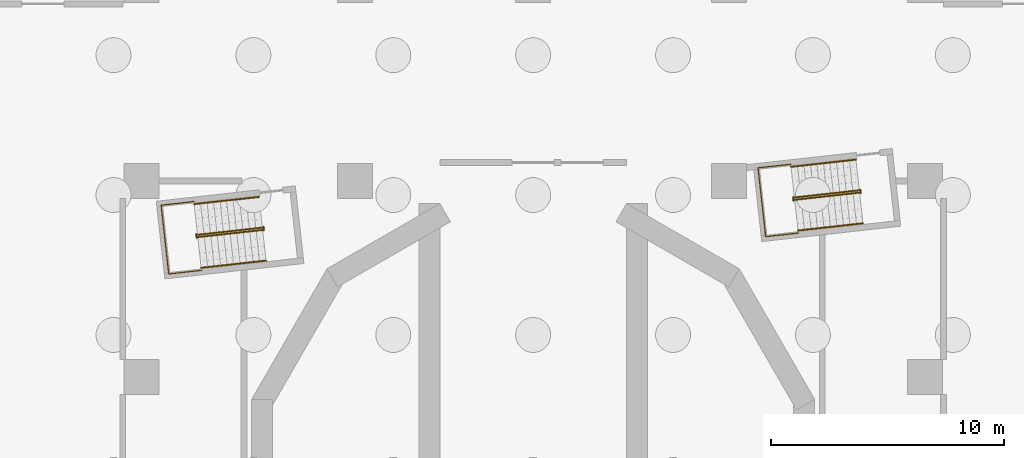
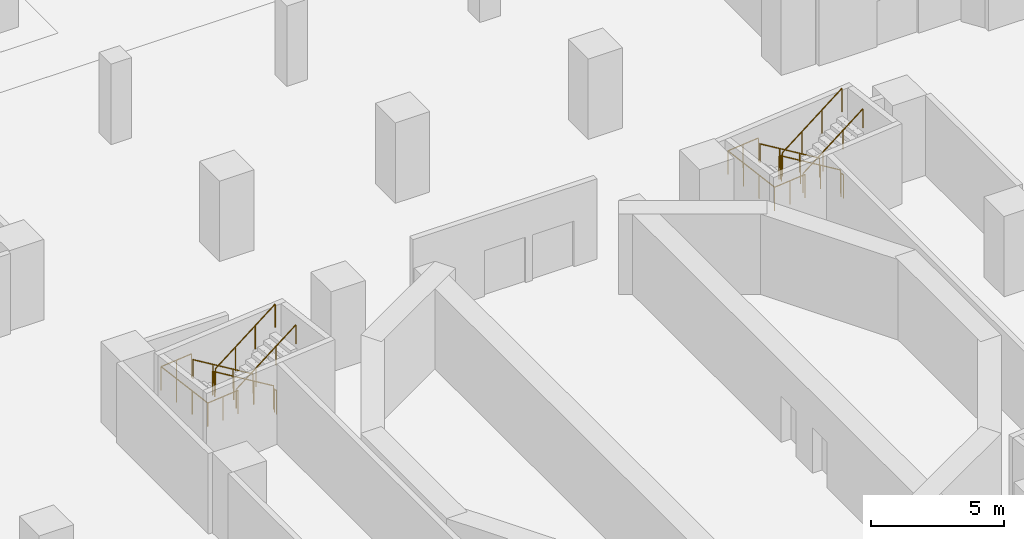
# One storey, part 17 of 20: 12 railings.
"""IFC4 building model written with IfcOpenShell, lengths in metres."""

import ifcopenshell
import ifcopenshell.guid

model = None  # the IFC model being written
_history = None  # IfcOwnerHistory: only IFC2X3 demands one
_inside = {}  # id of a spatial element -> (the spatial element, [elements in it])
_under = {}  # id of a project, library or spatial element -> (it, [spatial elements below it])
_declared = {}  # id of a project -> (the project, [libraries it declares])
_typed = {}  # id of a type object -> (the type object, [elements of that type])
_made_of = {}  # id of a material, layer set ... -> (it, [elements and type objects made of it])


def new_model(schema):
    """Start an empty IFC model of exactly this schema.

    Asked for "IFC4X3", IfcOpenShell would pick the latest addendum, in which some entities
    have other attributes; the version numbers below select the first issue.
    IFC2X3 requires an IfcOwnerHistory on every rooted entity: one is made here for all.
    """
    global model, _history
    if schema == "IFC4X3":
        model = ifcopenshell.file(schema_version=(4, 3, 0, 0))
    else:
        model = ifcopenshell.file(schema=schema)
    _inside.clear()
    _under.clear()
    _declared.clear()
    _typed.clear()
    _made_of.clear()
    _history = None
    if model.schema == "IFC2X3":
        org = make("IfcOrganization", Name="unknown")
        user = make(
            "IfcPersonAndOrganization",
            ThePerson=make("IfcPerson", FamilyName="unknown"),
            TheOrganization=org,
        )
        app = make(
            "IfcApplication",
            ApplicationDeveloper=org,
            Version="unknown",
            ApplicationFullName="unknown",
            ApplicationIdentifier="unknown",
        )
        _history = make(
            "IfcOwnerHistory",
            OwningUser=user,
            OwningApplication=app,
            ChangeAction="ADDED",
            CreationDate=0,
        )
    return model


def make(cls, **values):
    """One entity of the class cls with the attributes given. An attribute that is None is left unset."""
    return model.create_entity(
        cls, **{name: value for name, value in values.items() if value is not None}
    )


def rooted(cls, **values):
    """An entity with a GlobalId (a new one), such as an element, a storey or a relation."""
    return make(cls, GlobalId=ifcopenshell.guid.new(), OwnerHistory=_history, **values)


def si_unit(unit_type, name, prefix=None):
    """IfcSIUnit, for example si_unit("LENGTHUNIT", "METRE", prefix="MILLI")."""
    return make("IfcSIUnit", UnitType=unit_type, Prefix=prefix, Name=name)


def assignment(units):
    """IfcUnitAssignment: the units of a project."""
    return None if units is None else make("IfcUnitAssignment", Units=units)


def point(xyz):
    """IfcCartesianPoint."""
    return None if xyz is None else make("IfcCartesianPoint", Coordinates=xyz)


def direction(xyz):
    """IfcDirection."""
    return None if xyz is None else make("IfcDirection", DirectionRatios=xyz)


def frame(location, z_axis=None, x_axis=None):
    """IfcAxis2Placement3D, a coordinate frame: its origin and axes. An axis left out is left unset."""
    return make(
        "IfcAxis2Placement3D",
        Location=point(location),
        Axis=direction(z_axis),
        RefDirection=direction(x_axis),
    )


def frame_2d(location, x_axis=None):
    """IfcAxis2Placement2D, a coordinate frame in the plane: its origin and x axis."""
    return make(
        "IfcAxis2Placement2D", Location=point(location), RefDirection=direction(x_axis)
    )


def origin():
    """The frame at (0, 0, 0) with its axes left unset."""
    return frame((0.0, 0.0, 0.0))


def origin_2d():
    """The frame at (0, 0) in the plane with its x axis left unset."""
    return frame_2d((0.0, 0.0))


def place(relative_to, where):
    """IfcLocalPlacement: puts the frame where relative to a parent placement (None: the world)."""
    return make(
        "IfcLocalPlacement", PlacementRelTo=relative_to, RelativePlacement=where
    )


def context(
    kind, dimensions, precision=None, world=None, true_north=None, identifier=None
):
    """IfcGeometricRepresentationContext, for example the 3D "Model" context."""
    return make(
        "IfcGeometricRepresentationContext",
        ContextIdentifier=identifier,
        ContextType=kind,
        CoordinateSpaceDimension=dimensions,
        Precision=precision,
        WorldCoordinateSystem=world,
        TrueNorth=true_north,
    )


def subcontext(parent, identifier, kind, view, scale=None):
    """IfcGeometricRepresentationSubContext, for example "Body" below "Model"."""
    return make(
        "IfcGeometricRepresentationSubContext",
        ContextIdentifier=identifier,
        ContextType=kind,
        ParentContext=parent,
        TargetScale=scale,
        TargetView=view,
    )


def project(units=None, contexts=None):
    """IfcProject with its units and contexts."""
    return rooted(
        "IfcProject",
        Name="project",
        RepresentationContexts=contexts,
        UnitsInContext=assignment(units),
    )


def spatial(cls, under=None, at=None, **own):
    """A site, building, storey or space (cls), placed at a placement, below another one or the project."""
    s = rooted(cls, ObjectPlacement=at, **own)
    if under is not None:
        _under.setdefault(under.id(), (under, []))[1].append(s)
    return s


def profile(cls, at=None, kind="AREA", **sizes):
    """A parametric profile (cls). Its sizes go by their IFC names, for example OverallWidth=200.0."""
    return make(cls, ProfileType=kind, Position=at, **sizes)


def circle(**sizes):
    """IfcCircleProfileDef."""
    return profile("IfcCircleProfileDef", **sizes)


def extrude(swept, where, along, depth):
    """IfcExtrudedAreaSolid: the profile swept, set in the frame where, extruded along a direction by depth."""
    return make(
        "IfcExtrudedAreaSolid",
        SweptArea=swept,
        Position=where,
        ExtrudedDirection=direction(along),
        Depth=depth,
    )


def shape(context_of_items, identifier, shape_type, items):
    """IfcShapeRepresentation: the items that make up one representation, for example the "Body"."""
    return make(
        "IfcShapeRepresentation",
        ContextOfItems=context_of_items,
        RepresentationIdentifier=identifier,
        RepresentationType=shape_type,
        Items=items,
    )


def material(Name=None, Category=None):
    """IfcMaterial."""
    return make("IfcMaterial", Name=Name, Category=Category)


def made_of(thing, what):
    """Note that an element or type object is made of a material, layer set ...; save() writes the relation."""
    if what is not None:
        _made_of.setdefault(what.id(), (what, []))[1].append(thing)
    return thing


def type_object(cls, material=None, **own):
    """A type object (cls), such as IfcWallType, which elements share."""
    return made_of(rooted(cls, **own), material)


def element(
    cls,
    number,
    at=None,
    inside=None,
    cuts=None,
    type_object=None,
    material=None,
    context=None,
    identifier="Body",
    shape_type=None,
    held_by="IfcProductDefinitionShape",
    body=None,
    shapes=None,
    **own,
):
    """One element of the class cls, such as IfcWall. Its Tag is "e" and its number.

    at: its placement. inside: the storey or other place that contains it. cuts: it is an
    opening in that element (IfcRelVoidsElement). A single representation is given by context,
    identifier, shape_type and body (its items); several are given by shapes. held_by: the class
    of the entity that holds the representations. save() writes the other relations.
    """
    e = rooted(cls, Tag="e%d" % number, ObjectPlacement=at, **own)
    if body is not None:
        shapes = [shape(context, identifier, shape_type, body)]
    if shapes is not None:
        e.Representation = make(held_by, Representations=shapes)
    if inside is not None:
        _inside.setdefault(inside.id(), (inside, []))[1].append(e)
    if cuts is not None:
        rooted(
            "IfcRelVoidsElement", RelatingBuildingElement=cuts, RelatedOpeningElement=e
        )
    if type_object is not None:
        _typed.setdefault(type_object.id(), (type_object, []))[1].append(e)
    return made_of(e, material)


def aggregate(whole, parts):
    """IfcRelAggregates: a whole, such as a stair, and the parts it consists of."""
    return rooted("IfcRelAggregates", RelatingObject=whole, RelatedObjects=parts)


def save(model, path):
    """Write the relations noted so far, then the file.

    IfcRelAggregates (storeys below a building ...), IfcRelContainedInSpatialStructure (elements
    in a storey), IfcRelDefinesByType, IfcRelAssociatesMaterial and IfcRelDeclares: one each for
    every whole, place, type object, material and project.
    """
    for whole, parts in _under.values():
        aggregate(whole, parts)
    for where, things in _inside.values():
        rooted(
            "IfcRelContainedInSpatialStructure",
            RelatedElements=things,
            RelatingStructure=where,
        )
    for kind, things in _typed.values():
        rooted("IfcRelDefinesByType", RelatedObjects=things, RelatingType=kind)
    for what, things in _made_of.values():
        rooted("IfcRelAssociatesMaterial", RelatedObjects=things, RelatingMaterial=what)
    for by, libraries in _declared.values():
        rooted("IfcRelDeclares", RelatingContext=by, RelatedDefinitions=libraries)
    model.write(path)


model = new_model("IFC4")

# Units and contexts
model_context = context("Model", 3, precision=1e-05, world=origin(), true_north=direction((0.0, 1.0)))
body_context = subcontext(model_context, "Body", "Model", "MODEL_VIEW")
ifc_project = project(units=[si_unit("LENGTHUNIT", "METRE"), si_unit("AREAUNIT", "SQUARE_METRE"), si_unit("VOLUMEUNIT", "CUBIC_METRE"), si_unit("PLANEANGLEUNIT", "RADIAN"), si_unit("MASSUNIT", "GRAM", prefix="KILO")], contexts=[model_context])

# Site, building, storey
site_placement = place(None, origin())
site = spatial("IfcSite", under=ifc_project, at=site_placement, CompositionType="ELEMENT")
building_placement = place(site_placement, origin())
building = spatial("IfcBuilding", under=site, at=building_placement, Name="Cantera Rosa Tower", CompositionType="ELEMENT")
storey_placement = place(building_placement, frame((0.0, 0.0, -17.0)))
storey = spatial("IfcBuildingStorey", under=building, at=storey_placement, Name="B4", CompositionType="ELEMENT", Elevation=-17.0)

# Railings
ifc_material_1 = material(Name="Steel S355J2 (EN 10025-2)", Category="steel")
railing_type_1 = type_object("IfcRailingType", Name="STAIR GUARD 1100", PredefinedType="GUARDRAIL", material=ifc_material_1)
railing_1_placement = place(storey_placement, frame((13.986083984375, 12.203125, 0.181884765625)))
element("IfcRailing", 1, at=railing_1_placement, inside=storey, type_object=railing_type_1, Name="B4 ST-11 stair guard 1", PredefinedType="GUARDRAIL", context=body_context, shape_type="SweptSolid", body=[
    extrude(circle(Radius=0.02392578125, at=origin_2d()), frame((0.0, 0.0, 1.076171875), z_axis=(-0.833588056777, -0.09250714026, 0.544585512661), x_axis=(0.110297547524, -0.993898612038, 0.0)), (0.0, 0.0, 1.0), 3.338623046875),
    extrude(circle(Radius=0.02392578125, at=origin_2d()), frame((-2.782958984375, -0.308837890625, 2.89404296875), z_axis=(-0.932897555956, 0.360141847183, 0.0), x_axis=(-0.360141847183, -0.932897555956, 0.0)), (0.0, 0.0, 1.0), 0.05615234375),
    extrude(circle(Radius=0.02392578125, at=origin_2d()), frame((-2.83544921875, -0.28857421875, 2.89404296875), z_axis=(0.110789159685, -0.993843932464, 0.0), x_axis=(0.993843932464, 0.110789159685, 0.0)), (0.0, 0.0, 1.0), 0.14990234375),
    extrude(circle(Radius=0.02099609375, at=origin_2d()), origin(), (0.0, 0.0, 1.0), 1.052001953125),
    extrude(circle(Radius=0.02099609375, at=origin_2d()), frame((-0.927734375, -0.10302734375, 0.60595703125)), (0.0, 0.0, 1.0), 1.052001953125),
    extrude(circle(Radius=0.02099609375, at=origin_2d()), frame((-1.855224609375, -0.205810546875, 1.212158203125)), (0.0, 0.0, 1.0), 1.052001953125),
    extrude(circle(Radius=0.02099609375, at=origin_2d()), frame((-2.782958984375, -0.308837890625, 1.818115234375)), (0.0, 0.0, 1.0), 1.052001953125),
    extrude(circle(Radius=0.02099609375, at=origin_2d()), frame((-2.83544921875, -0.28857421875, 1.818115234375)), (0.0, 0.0, 1.0), 1.052001953125),
    extrude(circle(Radius=0.02099609375, at=origin_2d()), frame((-2.81884765625, -0.4375, 1.818115234375)), (0.0, 0.0, 1.0), 1.052001953125),
])
railing_2_placement = place(storey_placement, frame((11.2138671875, 11.796875, 2.181884765625)))
element("IfcRailing", 2, at=railing_2_placement, inside=storey, type_object=railing_type_1, Name="B4 ST-11 stair guard 2", PredefinedType="GUARDRAIL", context=body_context, shape_type="SweptSolid", body=[
    extrude(circle(Radius=0.02392578125, at=origin_2d()), frame((0.0, 0.0, 1.076171875), z_axis=(0.833588056777, 0.09250714026, 0.544585512661), x_axis=(-0.110297547524, 0.993898612038, 0.0)), (0.0, 0.0, 1.0), 3.338623046875),
    extrude(circle(Radius=0.02099609375, at=origin_2d()), origin(), (0.0, 0.0, 1.0), 1.052001953125),
    extrude(circle(Radius=0.02099609375, at=origin_2d()), frame((0.927734375, 0.10302734375, 0.60595703125)), (0.0, 0.0, 1.0), 1.052001953125),
    extrude(circle(Radius=0.02099609375, at=origin_2d()), frame((1.855224609375, 0.205810546875, 1.212158203125)), (0.0, 0.0, 1.0), 1.052001953125),
    extrude(circle(Radius=0.02099609375, at=origin_2d()), frame((2.782958984375, 0.308837890625, 1.818115234375)), (0.0, 0.0, 1.0), 1.052001953125),
])
railing_3_placement = place(storey_placement, frame((14.032958984375, 12.234375, 0.0)))
element("IfcRailing", 3, at=railing_3_placement, inside=storey, type_object=railing_type_1, Name="B4 ST-11 stair guard 3", PredefinedType="GUARDRAIL", context=body_context, shape_type="SweptSolid", body=[
    extrude(circle(Radius=0.02392578125, at=origin_2d()), frame((0.0, 0.0, 1.076171875), z_axis=(0.109179471459, -0.994022053584, 0.0), x_axis=(0.994022053584, 0.109179471459, 0.0)), (0.0, 0.0, 1.0), 0.14990234375),
    extrude(circle(Radius=0.02099609375, at=origin_2d()), origin(), (0.0, 0.0, 1.0), 1.052001953125),
    extrude(circle(Radius=0.02099609375, at=origin_2d()), frame((0.016357421875, -0.14892578125, 0.0)), (0.0, 0.0, 1.0), 1.052001953125),
])
railing_4_placement = place(storey_placement, frame((11.056640625, 13.32275390625, 2.0)))
element("IfcRailing", 4, at=railing_4_placement, inside=storey, type_object=railing_type_1, Name="B4 ST-11 stair guard 4", PredefinedType="GUARDRAIL", context=body_context, shape_type="SweptSolid", body=[
    extrude(circle(Radius=0.02392578125, at=origin_2d()), frame((0.0, 0.0, 1.076171875), z_axis=(-0.993906744489, -0.110224240795, 0.0), x_axis=(0.110224240795, -0.993906744489, 0.0)), (0.0, 0.0, 1.0), 1.421875),
    extrude(circle(Radius=0.02392578125, at=origin_2d()), frame((-1.413330078125, -0.15673828125, 1.076171875), z_axis=(0.110314237986, -0.993896759678, 0.0), x_axis=(0.993896759678, 0.110314237986, 0.0)), (0.0, 0.0, 1.0), 2.969970703125),
    extrude(circle(Radius=0.02392578125, at=origin_2d()), frame((-1.085693359375, -3.108642578125, 1.076171875), z_axis=(0.993906744489, 0.110224240795, 0.0), x_axis=(-0.110224240795, 0.993906744489, 0.0)), (0.0, 0.0, 1.0), 1.421875),
    extrude(circle(Radius=0.02099609375, at=origin_2d()), origin(), (0.0, 0.0, 1.0), 1.052001953125),
    extrude(circle(Radius=0.02099609375, at=origin_2d()), frame((-0.70654296875, -0.078369140625, 0.0)), (0.0, 0.0, 1.0), 1.052001953125),
    extrude(circle(Radius=0.02099609375, at=origin_2d()), frame((-1.413330078125, -0.15673828125, 0.0)), (0.0, 0.0, 1.0), 1.052001953125),
    extrude(circle(Radius=0.02099609375, at=origin_2d()), frame((-1.30419921875, -1.140625, 0.0)), (0.0, 0.0, 1.0), 1.052001953125),
    extrude(circle(Radius=0.02099609375, at=origin_2d()), frame((-1.19482421875, -2.124755859375, 0.0)), (0.0, 0.0, 1.0), 1.052001953125),
    extrude(circle(Radius=0.02099609375, at=origin_2d()), frame((-1.085693359375, -3.108642578125, 0.0)), (0.0, 0.0, 1.0), 1.052001953125),
    extrude(circle(Radius=0.02099609375, at=origin_2d()), frame((-0.37890625, -3.0302734375, 0.0)), (0.0, 0.0, 1.0), 1.052001953125),
    extrude(circle(Radius=0.02099609375, at=origin_2d()), frame((0.32763671875, -2.951904296875, 0.0)), (0.0, 0.0, 1.0), 1.052001953125),
])
railing_5_placement = place(storey_placement, frame((-11.614013671875, 10.60302734375, 0.181884765625)))
element("IfcRailing", 5, at=railing_5_placement, inside=storey, type_object=railing_type_1, Name="B4 ST-12 stair guard 1", PredefinedType="GUARDRAIL", context=body_context, shape_type="SweptSolid", body=[
    extrude(circle(Radius=0.02392578125, at=origin_2d()), frame((0.0, 0.0, 1.076171875), z_axis=(-0.833588056777, -0.09250714026, 0.544585512661), x_axis=(0.110297547524, -0.993898612038, 0.0)), (0.0, 0.0, 1.0), 3.338623046875),
    extrude(circle(Radius=0.02392578125, at=origin_2d()), frame((-2.782958984375, -0.308837890625, 2.89404296875), z_axis=(-0.931434406233, 0.363909256389, 0.0), x_axis=(-0.363909256389, -0.931434406233, 0.0)), (0.0, 0.0, 1.0), 0.056396484375),
    extrude(circle(Radius=0.02392578125, at=origin_2d()), frame((-2.83544921875, -0.288330078125, 2.89404296875), z_axis=(0.110610055588, -0.993863881828, 0.0), x_axis=(0.993863881828, 0.110610055588, 0.0)), (0.0, 0.0, 1.0), 0.150146484375),
    extrude(circle(Radius=0.02099609375, at=origin_2d()), origin(), (0.0, 0.0, 1.0), 1.052001953125),
    extrude(circle(Radius=0.02099609375, at=origin_2d()), frame((-0.927734375, -0.10302734375, 0.60595703125)), (0.0, 0.0, 1.0), 1.052001953125),
    extrude(circle(Radius=0.02099609375, at=origin_2d()), frame((-1.855224609375, -0.205810546875, 1.212158203125)), (0.0, 0.0, 1.0), 1.052001953125),
    extrude(circle(Radius=0.02099609375, at=origin_2d()), frame((-2.782958984375, -0.308837890625, 1.818115234375)), (0.0, 0.0, 1.0), 1.052001953125),
    extrude(circle(Radius=0.02099609375, at=origin_2d()), frame((-2.83544921875, -0.288330078125, 1.818115234375)), (0.0, 0.0, 1.0), 1.052001953125),
    extrude(circle(Radius=0.02099609375, at=origin_2d()), frame((-2.81884765625, -0.4375, 1.818115234375)), (0.0, 0.0, 1.0), 1.052001953125),
])
railing_6_placement = place(storey_placement, frame((-14.385986328125, 10.19677734375, 2.181884765625)))
element("IfcRailing", 6, at=railing_6_placement, inside=storey, type_object=railing_type_1, Name="B4 ST-12 stair guard 2", PredefinedType="GUARDRAIL", context=body_context, shape_type="SweptSolid", body=[
    extrude(circle(Radius=0.02392578125, at=origin_2d()), frame((0.0, 0.0, 1.076171875), z_axis=(0.833588056777, 0.09250714026, 0.544585512661), x_axis=(-0.110297547524, 0.993898612038, 0.0)), (0.0, 0.0, 1.0), 3.338623046875),
    extrude(circle(Radius=0.02099609375, at=origin_2d()), origin(), (0.0, 0.0, 1.0), 1.052001953125),
    extrude(circle(Radius=0.02099609375, at=origin_2d()), frame((0.927734375, 0.10302734375, 0.60595703125)), (0.0, 0.0, 1.0), 1.052001953125),
    extrude(circle(Radius=0.02099609375, at=origin_2d()), frame((1.855224609375, 0.205810546875, 1.212158203125)), (0.0, 0.0, 1.0), 1.052001953125),
    extrude(circle(Radius=0.02099609375, at=origin_2d()), frame((2.782958984375, 0.308837890625, 1.818115234375)), (0.0, 0.0, 1.0), 1.052001953125),
])
railing_7_placement = place(storey_placement, frame((-11.567138671875, 10.634521484375, 0.0)))
element("IfcRailing", 7, at=railing_7_placement, inside=storey, type_object=railing_type_1, Name="B4 ST-12 stair guard 3", PredefinedType="GUARDRAIL", context=body_context, shape_type="SweptSolid", body=[
    extrude(circle(Radius=0.02392578125, at=origin_2d()), frame((0.0, 0.0, 1.076171875), z_axis=(0.110610055588, -0.993863881828, 0.0), x_axis=(0.993863881828, 0.110610055588, 0.0)), (0.0, 0.0, 1.0), 0.150146484375),
    extrude(circle(Radius=0.02099609375, at=origin_2d()), origin(), (0.0, 0.0, 1.0), 1.052001953125),
    extrude(circle(Radius=0.02099609375, at=origin_2d()), frame((0.0166015625, -0.149169921875, 0.0)), (0.0, 0.0, 1.0), 1.052001953125),
])
railing_8_placement = place(storey_placement, frame((-14.54345703125, 11.722900390625, 2.0)))
element("IfcRailing", 8, at=railing_8_placement, inside=storey, type_object=railing_type_1, Name="B4 ST-12 stair guard 4", PredefinedType="GUARDRAIL", context=body_context, shape_type="SweptSolid", body=[
    extrude(circle(Radius=0.02392578125, at=origin_2d()), frame((0.0, 0.0, 1.076171875), z_axis=(-0.993885828579, -0.110412679298, 0.0), x_axis=(0.110412679298, -0.993885828579, 0.0)), (0.0, 0.0, 1.0), 1.421875),
    extrude(circle(Radius=0.02392578125, at=origin_2d()), frame((-1.4130859375, -0.156982421875, 1.076171875), z_axis=(0.11023303584, -0.99390576908, 0.0), x_axis=(0.99390576908, 0.11023303584, 0.0)), (0.0, 0.0, 1.0), 2.969970703125),
    extrude(circle(Radius=0.02392578125, at=origin_2d()), frame((-1.085693359375, -3.10888671875, 1.076171875), z_axis=(0.993887921413, 0.110393838913, 0.0), x_axis=(-0.110393838913, 0.993887921413, 0.0)), (0.0, 0.0, 1.0), 1.422119140625),
    extrude(circle(Radius=0.02099609375, at=origin_2d()), origin(), (0.0, 0.0, 1.0), 1.052001953125),
    extrude(circle(Radius=0.02099609375, at=origin_2d()), frame((-0.70654296875, -0.07861328125, 0.0)), (0.0, 0.0, 1.0), 1.052001953125),
    extrude(circle(Radius=0.02099609375, at=origin_2d()), frame((-1.4130859375, -0.156982421875, 0.0)), (0.0, 0.0, 1.0), 1.052001953125),
    extrude(circle(Radius=0.02099609375, at=origin_2d()), frame((-1.303955078125, -1.140869140625, 0.0)), (0.0, 0.0, 1.0), 1.052001953125),
    extrude(circle(Radius=0.02099609375, at=origin_2d()), frame((-1.19482421875, -2.125, 0.0)), (0.0, 0.0, 1.0), 1.052001953125),
    extrude(circle(Radius=0.02099609375, at=origin_2d()), frame((-1.085693359375, -3.10888671875, 0.0)), (0.0, 0.0, 1.0), 1.052001953125),
    extrude(circle(Radius=0.02099609375, at=origin_2d()), frame((-0.37890625, -3.0302734375, 0.0)), (0.0, 0.0, 1.0), 1.052001953125),
    extrude(circle(Radius=0.02099609375, at=origin_2d()), frame((0.32763671875, -2.951904296875, 0.0)), (0.0, 0.0, 1.0), 1.052001953125),
])
ifc_material_2 = material(Name="Steel S355J2 (EN 10025-2)", Category="steel")
railing_type_2 = type_object("IfcRailingType", Name="STAIR HANDRAIL 900", PredefinedType="HANDRAIL", material=ifc_material_2)
railing_9_placement = place(storey_placement, frame((13.83984375, 13.52099609375, 0.181884765625)))
element("IfcRailing", 9, at=railing_9_placement, inside=storey, type_object=railing_type_2, Name="B4 ST-11 stair handrail 1", PredefinedType="HANDRAIL", context=body_context, shape_type="SweptSolid", body=[
    extrude(circle(Radius=0.02392578125, at=origin_2d()), frame((0.0, 0.0, 0.8759765625), z_axis=(-0.833588056777, -0.09250714026, 0.544585512661), x_axis=(0.110297547524, -0.993898612038, 0.0)), (0.0, 0.0, 1.0), 3.338623046875),
    extrude(circle(Radius=0.02099609375, at=origin_2d()), origin(), (0.0, 0.0, 1.0), 0.851806640625),
    extrude(circle(Radius=0.02099609375, at=origin_2d()), frame((-0.927734375, -0.10302734375, 0.60595703125)), (0.0, 0.0, 1.0), 0.851806640625),
    extrude(circle(Radius=0.02099609375, at=origin_2d()), frame((-1.855224609375, -0.205810546875, 1.212158203125)), (0.0, 0.0, 1.0), 0.851806640625),
    extrude(circle(Radius=0.02099609375, at=origin_2d()), frame((-2.782958984375, -0.308837890625, 1.818115234375)), (0.0, 0.0, 1.0), 0.851806640625),
])
railing_10_placement = place(storey_placement, frame((11.360107421875, 10.47900390625, 2.181884765625)))
element("IfcRailing", 10, at=railing_10_placement, inside=storey, type_object=railing_type_2, Name="B4 ST-11 stair handrail 2", PredefinedType="HANDRAIL", context=body_context, shape_type="SweptSolid", body=[
    extrude(circle(Radius=0.02392578125, at=origin_2d()), frame((0.0, 0.0, 0.8759765625), z_axis=(0.833588056777, 0.09250714026, 0.544585512661), x_axis=(-0.110297547524, 0.993898612038, 0.0)), (0.0, 0.0, 1.0), 3.338623046875),
    extrude(circle(Radius=0.02099609375, at=origin_2d()), origin(), (0.0, 0.0, 1.0), 0.851806640625),
    extrude(circle(Radius=0.02099609375, at=origin_2d()), frame((0.927734375, 0.10302734375, 0.60595703125)), (0.0, 0.0, 1.0), 0.851806640625),
    extrude(circle(Radius=0.02099609375, at=origin_2d()), frame((1.855224609375, 0.205810546875, 1.212158203125)), (0.0, 0.0, 1.0), 0.851806640625),
    extrude(circle(Radius=0.02099609375, at=origin_2d()), frame((2.782958984375, 0.308837890625, 1.818115234375)), (0.0, 0.0, 1.0), 0.851806640625),
])
railing_11_placement = place(storey_placement, frame((-11.76025390625, 11.921142578125, 0.181884765625)))
element("IfcRailing", 11, at=railing_11_placement, inside=storey, type_object=railing_type_2, Name="B4 ST-12 stair handrail 1", PredefinedType="HANDRAIL", context=body_context, shape_type="SweptSolid", body=[
    extrude(circle(Radius=0.02392578125, at=origin_2d()), frame((0.0, 0.0, 0.8759765625), z_axis=(-0.833582415484, -0.092579641899, 0.544581827187), x_axis=(0.110383677283, -0.99388905004, 0.0)), (0.0, 0.0, 1.0), 3.338623046875),
    extrude(circle(Radius=0.02099609375, at=origin_2d()), origin(), (0.0, 0.0, 1.0), 0.851806640625),
    extrude(circle(Radius=0.02099609375, at=origin_2d()), frame((-0.927734375, -0.10302734375, 0.60595703125)), (0.0, 0.0, 1.0), 0.851806640625),
    extrude(circle(Radius=0.02099609375, at=origin_2d()), frame((-1.855224609375, -0.2060546875, 1.212158203125)), (0.0, 0.0, 1.0), 0.851806640625),
    extrude(circle(Radius=0.02099609375, at=origin_2d()), frame((-2.782958984375, -0.30908203125, 1.818115234375)), (0.0, 0.0, 1.0), 0.851806640625),
])
railing_12_placement = place(storey_placement, frame((-14.23974609375, 8.87890625, 2.181884765625)))
element("IfcRailing", 12, at=railing_12_placement, inside=storey, type_object=railing_type_2, Name="B4 ST-12 stair handrail 2", PredefinedType="HANDRAIL", context=body_context, shape_type="SweptSolid", body=[
    extrude(circle(Radius=0.02392578125, at=origin_2d()), frame((0.0, 0.0, 0.8759765625), z_axis=(0.833588056777, 0.09250714026, 0.544585512661), x_axis=(-0.110297547524, 0.993898612038, 0.0)), (0.0, 0.0, 1.0), 3.338623046875),
    extrude(circle(Radius=0.02099609375, at=origin_2d()), origin(), (0.0, 0.0, 1.0), 0.851806640625),
    extrude(circle(Radius=0.02099609375, at=origin_2d()), frame((0.927734375, 0.10302734375, 0.60595703125)), (0.0, 0.0, 1.0), 0.851806640625),
    extrude(circle(Radius=0.02099609375, at=origin_2d()), frame((1.855224609375, 0.205810546875, 1.212158203125)), (0.0, 0.0, 1.0), 0.851806640625),
    extrude(circle(Radius=0.02099609375, at=origin_2d()), frame((2.782958984375, 0.308837890625, 1.818115234375)), (0.0, 0.0, 1.0), 0.851806640625),
])

save(model, "model.ifc")
